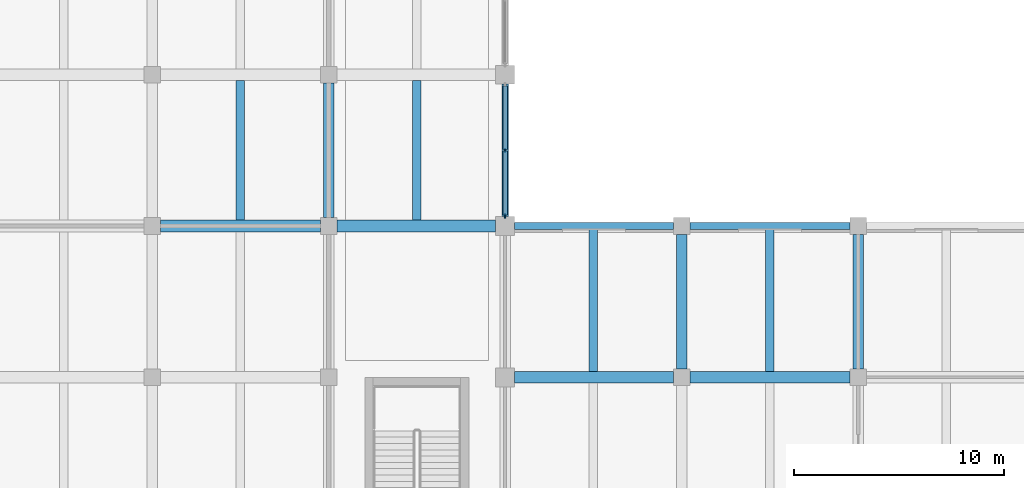
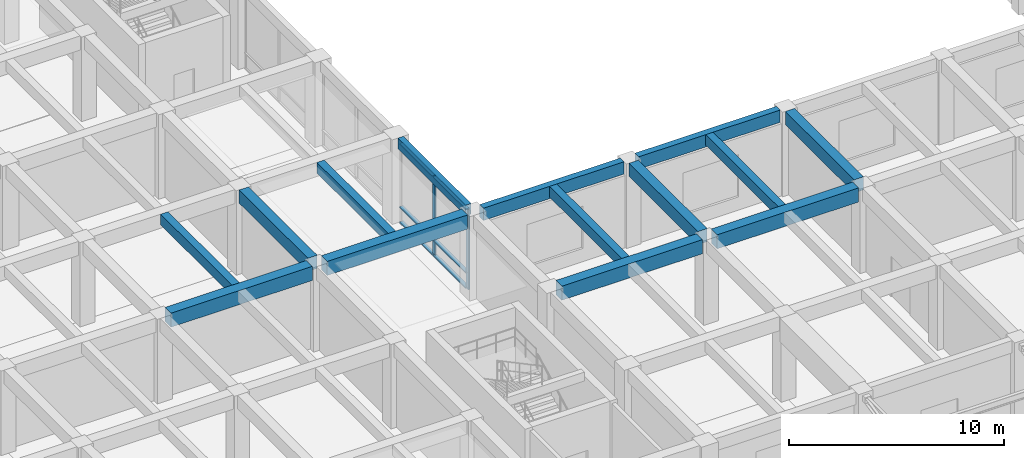
# One storey, part 9 of 49: 14 beams, 8 members, 1 element without a shape of its own.
"""IFC4 building model written with IfcOpenShell, lengths in metres."""

from ifc_helpers import new_model, si_unit, direction, frame, origin, origin_2d, place, context, subcontext, project, spatial, rectangle, extrude, material, material_profile, profile_set, type_object, element, aggregate, save


model = new_model("IFC4")

# Units and contexts
model_context = context("Model", 3, precision=1e-05, world=origin(), true_north=direction((0.0, 1.0)))
body_context = subcontext(model_context, "Body", "Model", "MODEL_VIEW")
ifc_project = project(units=[si_unit("LENGTHUNIT", "METRE"), si_unit("AREAUNIT", "SQUARE_METRE"), si_unit("VOLUMEUNIT", "CUBIC_METRE"), si_unit("PLANEANGLEUNIT", "RADIAN"), si_unit("MASSUNIT", "GRAM", prefix="KILO")], contexts=[model_context])

# Site, building, storey
site_placement = place(None, origin())
site = spatial("IfcSite", under=ifc_project, at=site_placement, CompositionType="ELEMENT")
building_placement = place(site_placement, origin())
building = spatial("IfcBuilding", under=site, at=building_placement, Name="Kenerak Square Central Library", CompositionType="ELEMENT")
storey_placement = place(building_placement, origin())
storey = spatial("IfcBuildingStorey", under=building, at=storey_placement, Name="L00", CompositionType="ELEMENT", Elevation=0.0)

# Beam
ifc_material_1 = material(Name="Concrete C40/50", Category="concrete")
ifc_material_profile_1 = material_profile(ifc_material_1, rectangle(XDim=0.300048828125, YDim=0.60009765625, at=origin_2d()), Name="RC 300x600")
ifc_profile_set_1 = profile_set([ifc_material_profile_1], Name="Concrete C40/50")
beam_type_1 = type_object("IfcBeamType", Name="Courtyard Spandrel Beam SP-02 RC 300x600 C40/50", PredefinedType="SPANDREL", material=ifc_profile_set_1)
beam_1_placement = place(storey_placement, frame((117.199951171875, 38.85009765625, 4.5), z_axis=(0.0, 1.0, 0.0), x_axis=(-1.0, 0.0, 0.0)))
element("IfcBeam", 1, at=beam_1_placement, inside=storey, type_object=beam_type_1, Name="Beam SP-02 L00 0706", PredefinedType="SPANDREL", context=body_context, shape_type="SweptSolid", body=[
    extrude(rectangle(XDim=0.300048828125, YDim=0.60009765625, at=origin_2d()), origin(), (0.0, 0.0, 1.0), 6.2998046875),
])

# Curtain wall, members
ifc_material_2 = material(Name="Anodised aluminium and solar-control low-E glazing", Category="aluminium")
curtain_wall_type = type_object("IfcCurtainWallType", Name="Curtain Wall CW-V1-63x45 6300x4525", PredefinedType="USERDEFINED", material=ifc_material_2)
curtain_wall_placement = place(storey_placement, origin())
curtain_wall = element("IfcCurtainWall", 2, at=curtain_wall_placement, inside=storey, type_object=curtain_wall_type, Name="Curtain Wall CW-V1-63x45 L00 0013", ObjectType="CURTAIN WALL", PredefinedType="USERDEFINED")
ifc_material_3 = material(Name="Anodised aluminium 6063-T6", Category="aluminium")
ifc_material_profile_2 = material_profile(ifc_material_3, rectangle(XDim=0.074951171875, YDim=0.219970703125, at=origin_2d()), Name="AL MULLION 75x220")
ifc_profile_set_2 = profile_set([ifc_material_profile_2], Name="Anodised aluminium 6063-T6")
member_type_1 = type_object("IfcMemberType", Name="Curtain Mullion CM-02 75x220", PredefinedType="MULLION", material=ifc_profile_set_2)
member_1_placement = place(storey_placement, frame((117.199951171875, 42.0, 0.0), z_axis=(0.0, 0.0, 1.0), x_axis=(1.0, 0.0, 0.0)))
member_1 = element("IfcMember", 3, at=member_1_placement, type_object=member_type_1, Name="CW-V1-63x45 Mullion 2", PredefinedType="MULLION", context=body_context, shape_type="SweptSolid", body=[
    extrude(rectangle(XDim=0.074951171875, YDim=0.219970703125, at=origin_2d()), origin(), (0.0, 0.0, 1.0), 4.52490234375),
])
member_2_placement = place(storey_placement, frame((117.199951171875, 38.887451171875, 0.0), z_axis=(0.0, 0.0, 1.0), x_axis=(1.0, 0.0, 0.0)))
member_2 = element("IfcMember", 4, at=member_2_placement, type_object=member_type_1, Name="CW-V1-63x45 Mullion 3", PredefinedType="MULLION", context=body_context, shape_type="SweptSolid", body=[
    extrude(rectangle(XDim=0.074951171875, YDim=0.219970703125, at=origin_2d()), origin(), (0.0, 0.0, 1.0), 4.52490234375),
])
ifc_material_profile_3 = material_profile(ifc_material_3, rectangle(XDim=0.199951171875, YDim=0.074951171875, at=origin_2d()), Name="AL TRANSOM 200x75")
ifc_profile_set_3 = profile_set([ifc_material_profile_3], Name="Anodised aluminium 6063-T6")
member_type_2 = type_object("IfcMemberType", Name="Curtain Transom CT-12 200x75", PredefinedType="USERDEFINED", material=ifc_profile_set_3)
member_3_placement = place(storey_placement, frame((117.199951171875, 45.074951171875, 0.03759765625), z_axis=(0.0, -1.0, 0.0), x_axis=(1.0, 0.0, 0.0)))
member_3 = element("IfcMember", 5, at=member_3_placement, type_object=member_type_2, Name="CW-V1-63x45 Transom 1.1", ObjectType="TRANSOM", PredefinedType="USERDEFINED", context=body_context, shape_type="SweptSolid", body=[
    extrude(rectangle(XDim=0.199951171875, YDim=0.074951171875, at=origin_2d()), origin(), (0.0, 0.0, 1.0), 3.037353515625),
])
member_4_placement = place(storey_placement, frame((117.199951171875, 45.074951171875, 0.89990234375), z_axis=(0.0, -1.0, 0.0), x_axis=(1.0, 0.0, 0.0)))
member_4 = element("IfcMember", 6, at=member_4_placement, type_object=member_type_2, Name="CW-V1-63x45 Transom 1.2", ObjectType="TRANSOM", PredefinedType="USERDEFINED", context=body_context, shape_type="SweptSolid", body=[
    extrude(rectangle(XDim=0.199951171875, YDim=0.074951171875, at=origin_2d()), origin(), (0.0, 0.0, 1.0), 3.037353515625),
])
member_5_placement = place(storey_placement, frame((117.199951171875, 45.074951171875, 4.487548828125), z_axis=(0.0, -1.0, 0.0), x_axis=(1.0, 0.0, 0.0)))
member_5 = element("IfcMember", 7, at=member_5_placement, type_object=member_type_2, Name="CW-V1-63x45 Transom 1.3", ObjectType="TRANSOM", PredefinedType="USERDEFINED", context=body_context, shape_type="SweptSolid", body=[
    extrude(rectangle(XDim=0.199951171875, YDim=0.074951171875, at=origin_2d()), origin(), (0.0, 0.0, 1.0), 3.037353515625),
])
member_6_placement = place(storey_placement, frame((117.199951171875, 41.96240234375, 0.03759765625), z_axis=(0.0, -1.0, 0.0), x_axis=(1.0, 0.0, 0.0)))
member_6 = element("IfcMember", 8, at=member_6_placement, type_object=member_type_2, Name="CW-V1-63x45 Transom 2.1", ObjectType="TRANSOM", PredefinedType="USERDEFINED", context=body_context, shape_type="SweptSolid", body=[
    extrude(rectangle(XDim=0.199951171875, YDim=0.074951171875, at=origin_2d()), origin(), (0.0, 0.0, 1.0), 3.037353515625),
])
member_7_placement = place(storey_placement, frame((117.199951171875, 41.96240234375, 0.89990234375), z_axis=(0.0, -1.0, 0.0), x_axis=(1.0, 0.0, 0.0)))
member_7 = element("IfcMember", 9, at=member_7_placement, type_object=member_type_2, Name="CW-V1-63x45 Transom 2.2", ObjectType="TRANSOM", PredefinedType="USERDEFINED", context=body_context, shape_type="SweptSolid", body=[
    extrude(rectangle(XDim=0.199951171875, YDim=0.074951171875, at=origin_2d()), origin(), (0.0, 0.0, 1.0), 3.037353515625),
])
member_8_placement = place(storey_placement, frame((117.199951171875, 41.96240234375, 4.487548828125), z_axis=(0.0, -1.0, 0.0), x_axis=(1.0, 0.0, 0.0)))
member_8 = element("IfcMember", 10, at=member_8_placement, type_object=member_type_2, Name="CW-V1-63x45 Transom 2.3", ObjectType="TRANSOM", PredefinedType="USERDEFINED", context=body_context, shape_type="SweptSolid", body=[
    extrude(rectangle(XDim=0.199951171875, YDim=0.074951171875, at=origin_2d()), origin(), (0.0, 0.0, 1.0), 3.037353515625),
])
aggregate(curtain_wall, [member_1, member_2, member_3, member_4, member_5, member_6, member_7, member_8])

# Beams
ifc_material_profile_4 = material_profile(ifc_material_1, rectangle(XDim=0.35009765625, YDim=0.699951171875, at=origin_2d()), Name="RC 350x700")
ifc_profile_set_4 = profile_set([ifc_material_profile_4], Name="Concrete C40/50")
beam_type_2 = type_object("IfcBeamType", Name="Expressed Spandrel Beam SP-01 RC 350x700 C40/50", PredefinedType="SPANDREL", material=ifc_profile_set_4)
beam_2_placement = place(storey_placement, frame((117.64990234375, 38.39990234375, 4.449951171875), z_axis=(1.0, 0.0, 0.0), x_axis=(0.0, 1.0, 0.0)))
element("IfcBeam", 11, at=beam_2_placement, inside=storey, type_object=beam_type_2, Name="Beam SP-01 L00 0501", PredefinedType="SPANDREL", context=body_context, shape_type="SweptSolid", body=[
    extrude(rectangle(XDim=0.35009765625, YDim=0.699951171875, at=origin_2d()), origin(), (0.0, 0.0, 1.0), 7.550048828125),
])
beam_3_placement = place(storey_placement, frame((126.0, 38.39990234375, 4.449951171875), z_axis=(1.0, 0.0, 0.0), x_axis=(0.0, 1.0, 0.0)))
element("IfcBeam", 12, at=beam_3_placement, inside=storey, type_object=beam_type_2, Name="Beam SP-01 L00 0502", PredefinedType="SPANDREL", context=body_context, shape_type="SweptSolid", body=[
    extrude(rectangle(XDim=0.35009765625, YDim=0.699951171875, at=origin_2d()), origin(), (0.0, 0.0, 1.0), 7.60009765625),
])
ifc_material_profile_5 = material_profile(ifc_material_1, rectangle(XDim=0.550048828125, YDim=0.800048828125, at=origin_2d()), Name="RC 550x800")
ifc_profile_set_5 = profile_set([ifc_material_profile_5], Name="Concrete C40/50")
beam_type_3 = type_object("IfcBeamType", Name="Primary Reading Beam B-04 RC 550x800 C40/50", PredefinedType="BEAM", material=ifc_profile_set_5)
beam_4_placement = place(storey_placement, frame((117.64990234375, 31.199951171875, 4.39990234375), z_axis=(1.0, 0.0, 0.0), x_axis=(0.0, 1.0, 0.0)))
element("IfcBeam", 13, at=beam_4_placement, inside=storey, type_object=beam_type_3, Name="Beam B-04 L00 0484", PredefinedType="BEAM", context=body_context, shape_type="SweptSolid", body=[
    extrude(rectangle(XDim=0.550048828125, YDim=0.800048828125, at=origin_2d()), origin(), (0.0, 0.0, 1.0), 7.550048828125),
])
beam_5_placement = place(storey_placement, frame((126.0, 31.199951171875, 4.39990234375), z_axis=(1.0, 0.0, 0.0), x_axis=(0.0, 1.0, 0.0)))
element("IfcBeam", 14, at=beam_5_placement, inside=storey, type_object=beam_type_3, Name="Beam B-04 L00 0485", PredefinedType="BEAM", context=body_context, shape_type="SweptSolid", body=[
    extrude(rectangle(XDim=0.550048828125, YDim=0.800048828125, at=origin_2d()), origin(), (0.0, 0.0, 1.0), 7.60009765625),
])
beam_6_placement = place(storey_placement, frame((100.800048828125, 38.39990234375, 4.39990234375), z_axis=(1.0, 0.0, 0.0), x_axis=(0.0, 1.0, 0.0)))
element("IfcBeam", 15, at=beam_6_placement, inside=storey, type_object=beam_type_3, Name="Beam B-04 L00 0499", PredefinedType="BEAM", context=body_context, shape_type="SweptSolid", body=[
    extrude(rectangle(XDim=0.550048828125, YDim=0.800048828125, at=origin_2d()), origin(), (0.0, 0.0, 1.0), 7.599853515625),
])
beam_7_placement = place(storey_placement, frame((109.199951171875, 38.39990234375, 4.39990234375), z_axis=(1.0, 0.0, 0.0), x_axis=(0.0, 1.0, 0.0)))
element("IfcBeam", 16, at=beam_7_placement, inside=storey, type_object=beam_type_3, Name="Beam B-04 L00 0500", PredefinedType="BEAM", context=body_context, shape_type="SweptSolid", body=[
    extrude(rectangle(XDim=0.550048828125, YDim=0.800048828125, at=origin_2d()), origin(), (0.0, 0.0, 1.0), 7.550048828125),
])
ifc_material_profile_6 = material_profile(ifc_material_1, rectangle(XDim=0.39990234375, YDim=0.60009765625, at=origin_2d()), Name="RC 400x600")
ifc_profile_set_6 = profile_set([ifc_material_profile_6], Name="Concrete C40/50")
beam_type_4 = type_object("IfcBeamType", Name="Secondary Floor Joist J-01 RC 400x600 C40/50", PredefinedType="JOIST", material=ifc_profile_set_6)
for number, where, z_axis, x_axis, name in (
    (17, (104.60009765625, 38.675048828125, 4.5), (0.0, 1.0, 0.0), (-1.0, 0.0, 0.0), "Joist J-01 L00 0812"),
    (18, (113.0, 38.675048828125, 4.5), (0.0, 1.0, 0.0), (-1.0, 0.0, 0.0), "Joist J-01 L00 0823"),
):
    element("IfcBeam", number, at=place(storey_placement, frame(where, z_axis=z_axis, x_axis=x_axis)), inside=storey, type_object=beam_type_4, Name=name, PredefinedType="JOIST", context=body_context, shape_type="SweptSolid", body=[
        extrude(rectangle(XDim=0.39990234375, YDim=0.60009765625, at=origin_2d()), origin(), (0.0, 0.0, 1.0), 6.64990234375),
    ])
for number, where, z_axis, x_axis, name in (
    (19, (121.39990234375, 31.47509765625, 4.5), (0.0, 1.0, 0.0), (-1.0, 0.0, 0.0), "Joist J-01 L00 0830"),
    (20, (129.800048828125, 31.47509765625, 4.5), (0.0, 1.0, 0.0), (-1.0, 0.0, 0.0), "Joist J-01 L00 0836"),
):
    element("IfcBeam", number, at=place(storey_placement, frame(where, z_axis=z_axis, x_axis=x_axis)), inside=storey, type_object=beam_type_4, Name=name, PredefinedType="JOIST", context=body_context, shape_type="SweptSolid", body=[
        extrude(rectangle(XDim=0.39990234375, YDim=0.60009765625, at=origin_2d()), origin(), (0.0, 0.0, 1.0), 6.75),
    ])
ifc_material_profile_7 = material_profile(ifc_material_1, rectangle(XDim=0.5, YDim=0.75, at=origin_2d()), Name="RC 500x750")
ifc_profile_set_7 = profile_set([ifc_material_profile_7], Name="Concrete C40/50")
beam_type_5 = type_object("IfcBeamType", Name="Transverse Frame Beam B-05 RC 500x750 C40/50", PredefinedType="BEAM", material=ifc_profile_set_7)
for number, where, z_axis, x_axis, name in (
    (21, (108.800048828125, 38.800048828125, 4.425048828125), (0.0, 1.0, 0.0), (-1.0, 0.0, 0.0), "Beam B-05 L00 0692"),
    (22, (125.60009765625, 31.60009765625, 4.425048828125), (0.0, 1.0, 0.0), (-1.0, 0.0, 0.0), "Beam B-05 L00 0717"),
    (23, (134.0, 31.60009765625, 4.425048828125), (0.0, 1.0, 0.0), (-1.0, 0.0, 0.0), "Beam B-05 L00 0723"),
):
    element("IfcBeam", number, at=place(storey_placement, frame(where, z_axis=z_axis, x_axis=x_axis)), inside=storey, type_object=beam_type_5, Name=name, PredefinedType="BEAM", context=body_context, shape_type="SweptSolid", body=[
        extrude(rectangle(XDim=0.5, YDim=0.75, at=origin_2d()), origin(), (0.0, 0.0, 1.0), 6.39990234375),
    ])

save(model, "model.ifc")
